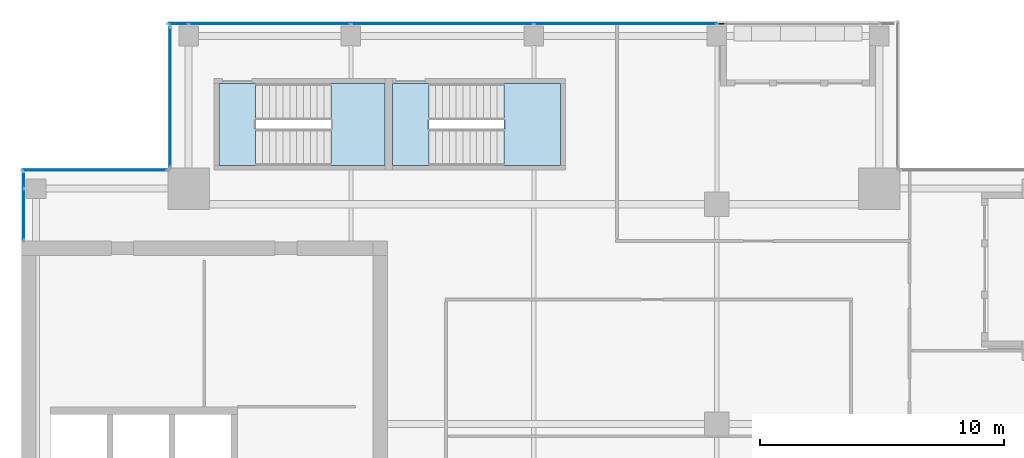
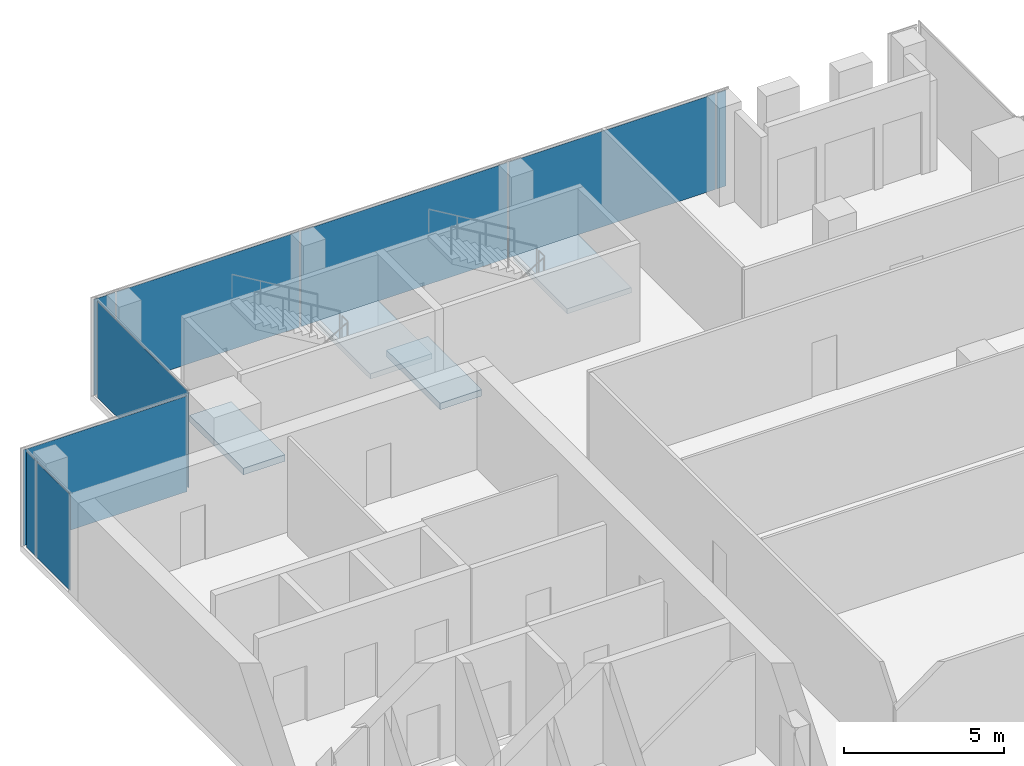
# One storey, part 23 of 29: 9 plates, 4 slabs, 6 elements without a shape of their own.
"""IFC4 building model written with IfcOpenShell, lengths in metres."""

from ifc_helpers import new_model, si_unit, direction, frame, origin, origin_2d, place, context, subcontext, project, spatial, polyline, rectangle, outline, extrude, source, transform, mapped, material, layer, layer_set, type_object, element, aggregate, save


model = new_model("IFC4")

# Units and contexts
model_context = context("Model", 3, precision=1e-05, world=origin(), true_north=direction((0.0, 1.0)))
body_context = subcontext(model_context, "Body", "Model", "MODEL_VIEW")
ifc_project = project(units=[si_unit("LENGTHUNIT", "METRE"), si_unit("AREAUNIT", "SQUARE_METRE"), si_unit("VOLUMEUNIT", "CUBIC_METRE"), si_unit("PLANEANGLEUNIT", "RADIAN"), si_unit("MASSUNIT", "GRAM", prefix="KILO")], contexts=[model_context])

# Site, building, storey
site_placement = place(None, origin())
site = spatial("IfcSite", under=ifc_project, at=site_placement, CompositionType="ELEMENT")
building_placement = place(site_placement, origin())
building = spatial("IfcBuilding", under=site, at=building_placement, Name="Khomas Fold Tower", CompositionType="ELEMENT")
storey_placement = place(building_placement, frame((0.0, 0.0, 314.199951171875)))
storey = spatial("IfcBuildingStorey", under=building, at=storey_placement, Name="L71", CompositionType="ELEMENT", Elevation=314.199951171875)

# Curtain wall, plate
ifc_material_1 = material(Name="Aluminium framed double glazing", Category="aluminium")
curtain_wall_type = type_object("IfcCurtainWallType", Name="SK-Unitised clear-glass wall, upper floors CW3", PredefinedType="NOTDEFINED", material=ifc_material_1)
curtain_wall_1_placement = place(storey_placement, origin())
curtain_wall_1 = element("IfcCurtainWall", 1, at=curtain_wall_1_placement, inside=storey, type_object=curtain_wall_type, Name="CW3 run L71 09-0", PredefinedType="NOTDEFINED")
ifc_material_2 = material(Name="Clear double glazed unit")
ifc_layer_1 = layer(ifc_material_2, 0.028076171875)
ifc_layer_set_1 = layer_set([ifc_layer_1], Name="Clear double glazed unit")
plate_type = type_object("IfcPlateType", Name="SK-Unitised clear-glass wall, upper floors glass panel CW3-P", PredefinedType="CURTAIN_PANEL", material=ifc_layer_set_1)
shared_shape_1 = source(origin(), body_context, "Body", "SweptSolid", [
    extrude(rectangle(XDim=0.574951171875, YDim=0.028076171875, at=origin_2d()), origin(), (0.0, 0.0, 1.0), 3.64990234375),
])
plate_1_placement = place(storey_placement, frame((6.10009765625, 41.46240234375, 0.0), z_axis=(0.0, 0.0, 1.0), x_axis=(0.0, -1.0, 0.0)))
plate_1 = element("IfcPlate", 2, at=plate_1_placement, type_object=plate_type, Name="CW3 glass panel 1", PredefinedType="CURTAIN_PANEL", context=body_context, shape_type="MappedRepresentation", body=[
    mapped(shared_shape_1, transform((0.0, 0.0, 0.0))),
])

# Curtain wall, plates
curtain_wall_2_placement = place(storey_placement, origin())
curtain_wall_2 = element("IfcCurtainWall", 3, at=curtain_wall_2_placement, inside=storey, type_object=curtain_wall_type, Name="CW3 run L71 06-1", PredefinedType="NOTDEFINED")
shared_shape_2 = source(origin(), body_context, "Body", "SweptSolid", [
    extrude(rectangle(XDim=6.60009765625, YDim=0.028076171875, at=origin_2d()), origin(), (0.0, 0.0, 1.0), 3.64990234375),
])
plate_2_placement = place(storey_placement, frame((16.175048828125, 47.89990234375, 0.0), z_axis=(0.0, 0.0, 1.0), x_axis=(-1.0, 0.0, 0.0)))
plate_2 = element("IfcPlate", 4, at=plate_2_placement, type_object=plate_type, Name="CW3 glass panel 4", PredefinedType="CURTAIN_PANEL", context=body_context, shape_type="MappedRepresentation", body=[
    mapped(shared_shape_2, transform((0.0, 0.0, 0.0))),
])
shared_shape_3 = source(origin(), body_context, "Body", "SweptSolid", [
    extrude(rectangle(XDim=7.449951171875, YDim=0.028076171875, at=origin_2d()), origin(), (0.0, 0.0, 1.0), 3.64990234375),
])
plate_3_placement = place(storey_placement, frame((30.75, 47.89990234375, 0.0), z_axis=(0.0, 0.0, 1.0), x_axis=(-1.0, 0.0, 0.0)))
plate_3 = element("IfcPlate", 5, at=plate_3_placement, type_object=plate_type, Name="CW3 glass panel 2", PredefinedType="CURTAIN_PANEL", context=body_context, shape_type="MappedRepresentation", body=[
    mapped(shared_shape_3, transform((0.0, 0.0, 0.0))),
])
plate_4_placement = place(storey_placement, frame((23.25, 47.89990234375, 0.0), z_axis=(0.0, 0.0, 1.0), x_axis=(-1.0, 0.0, 0.0)))
plate_4 = element("IfcPlate", 6, at=plate_4_placement, type_object=plate_type, Name="CW3 glass panel 3", PredefinedType="CURTAIN_PANEL", context=body_context, shape_type="MappedRepresentation", body=[
    mapped(shared_shape_3, transform((0.0, 0.0, 0.0))),
])
shared_shape_4 = source(origin(), body_context, "Body", "SweptSolid", [
    extrude(rectangle(XDim=0.77490234375, YDim=0.028076171875, at=origin_2d()), origin(), (0.0, 0.0, 1.0), 3.64990234375),
])
plate_5_placement = place(storey_placement, frame((12.4375, 47.89990234375, 0.0), z_axis=(0.0, 0.0, 1.0), x_axis=(-1.0, 0.0, 0.0)))
plate_5 = element("IfcPlate", 7, at=plate_5_placement, type_object=plate_type, Name="CW3 glass panel 5", PredefinedType="CURTAIN_PANEL", context=body_context, shape_type="MappedRepresentation", body=[
    mapped(shared_shape_4, transform((0.0, 0.0, 0.0))),
])

# Curtain wall, plate
curtain_wall_3_placement = place(storey_placement, origin())
curtain_wall_3 = element("IfcCurtainWall", 8, at=curtain_wall_3_placement, inside=storey, type_object=curtain_wall_type, Name="CW3 corner return L71 07", PredefinedType="NOTDEFINED")
shared_shape_5 = source(origin(), body_context, "Body", "SweptSolid", [
    extrude(rectangle(XDim=5.699951171875, YDim=0.028076171875, at=origin_2d()), origin(), (0.0, 0.0, 1.0), 3.64990234375),
])
plate_6_placement = place(storey_placement, frame((12.10009765625, 44.89990234375, 0.0), z_axis=(0.0, 0.0, 1.0), x_axis=(0.0, -1.0, 0.0)))
plate_6 = element("IfcPlate", 9, at=plate_6_placement, type_object=plate_type, Name="CW3 glass panel 1", PredefinedType="CURTAIN_PANEL", context=body_context, shape_type="MappedRepresentation", body=[
    mapped(shared_shape_5, transform((0.0, 0.0, 0.0))),
])
aggregate(curtain_wall_3, [plate_6])

curtain_wall_4_placement = place(storey_placement, origin())
curtain_wall_4 = element("IfcCurtainWall", 10, at=curtain_wall_4_placement, inside=storey, type_object=curtain_wall_type, Name="CW3 corner return L71 08", PredefinedType="NOTDEFINED")
shared_shape_6 = source(origin(), body_context, "Body", "SweptSolid", [
    extrude(rectangle(XDim=5.89990234375, YDim=0.028076171875, at=origin_2d()), origin(), (0.0, 0.0, 1.0), 3.64990234375),
])
plate_7_placement = place(storey_placement, frame((9.0, 41.89990234375, 0.0), z_axis=(0.0, 0.0, 1.0), x_axis=(-1.0, 0.0, 0.0)))
plate_7 = element("IfcPlate", 11, at=plate_7_placement, type_object=plate_type, Name="CW3 glass panel 1", PredefinedType="CURTAIN_PANEL", context=body_context, shape_type="MappedRepresentation", body=[
    mapped(shared_shape_6, transform((0.0, 0.0, 0.0))),
])
aggregate(curtain_wall_4, [plate_7])

# Plate
shared_shape_7 = source(origin(), body_context, "Body", "SweptSolid", [
    extrude(rectangle(XDim=0.324951171875, YDim=0.028076171875, at=origin_2d()), origin(), (0.0, 0.0, 1.0), 3.64990234375),
])
plate_8_placement = place(storey_placement, frame((34.6875, 47.89990234375, 0.0), z_axis=(0.0, 0.0, 1.0), x_axis=(-1.0, 0.0, 0.0)))
plate_8 = element("IfcPlate", 12, at=plate_8_placement, type_object=plate_type, Name="CW3 glass panel 1", PredefinedType="CURTAIN_PANEL", context=body_context, shape_type="MappedRepresentation", body=[
    mapped(shared_shape_7, transform((0.0, 0.0, 0.0))),
])

aggregate(curtain_wall_2, [plate_8, plate_3, plate_4, plate_2, plate_5])

shared_shape_8 = source(origin(), body_context, "Body", "SweptSolid", [
    extrude(rectangle(XDim=2.074951171875, YDim=0.028076171875, at=origin_2d()), origin(), (0.0, 0.0, 1.0), 3.64990234375),
])
plate_9_placement = place(storey_placement, frame((6.10009765625, 40.08740234375, 0.0), z_axis=(0.0, 0.0, 1.0), x_axis=(0.0, -1.0, 0.0)))
plate_9 = element("IfcPlate", 13, at=plate_9_placement, type_object=plate_type, Name="CW3 glass panel 2", PredefinedType="CURTAIN_PANEL", context=body_context, shape_type="MappedRepresentation", body=[
    mapped(shared_shape_8, transform((0.0, 0.0, 0.0))),
])

aggregate(curtain_wall_1, [plate_1, plate_9])

# Stair, slab
ifc_material_3 = material(Name="Concrete C40/50", Category="concrete")
stair_type_1 = type_object("IfcStairType", Name="Stair ST1", PredefinedType="HALF_TURN_STAIR", material=ifc_material_3)
stair_1_placement = place(storey_placement, origin())
stair_1 = element("IfcStair", 14, at=stair_1_placement, inside=storey, type_object=stair_type_1, Name="L71 ST1", PredefinedType="HALF_TURN_STAIR")
ifc_material_4 = material(Name="Concrete C40/50", Category="concrete")
ifc_layer_2 = layer(ifc_material_4, 0.199951171875)
ifc_layer_set_2 = layer_set([ifc_layer_2], Name="Concrete C40/50")
slab_type_1 = type_object("IfcSlabType", Name="Stair landing 200", PredefinedType="LANDING", material=ifc_layer_set_2)
shared_shape_9 = source(origin(), body_context, "Body", "SweptSolid", [
    extrude(outline(polyline([(18.679931640625, 42.10009765625), (20.89990234375, 42.10009765625), (20.89990234375, 45.449951171875), (18.679931640625, 45.449951171875), (18.679931640625, 42.10009765625)])), origin(), (0.0, 0.0, 1.0), 0.199951171875),
])
slab_1_placement = place(storey_placement, frame((0.0, 0.0, 1.800048828125)))
slab_1 = element("IfcSlab", 15, at=slab_1_placement, type_object=slab_type_1, Name="ST1 landing 1", PredefinedType="LANDING", context=body_context, shape_type="MappedRepresentation", body=[
    mapped(shared_shape_9, transform((0.0, 0.0, 0.0))),
])
aggregate(stair_1, [slab_1])

# Slab
ifc_material_5 = material(Name="Concrete C40/50", Category="concrete")
ifc_layer_3 = layer(ifc_material_5, 0.25)
ifc_layer_set_3 = layer_set([ifc_layer_3], Name="Concrete C40/50")
slab_type_2 = type_object("IfcSlabType", Name="Stair floor landing 250", PredefinedType="LANDING", material=ifc_layer_set_3)
shared_shape_10 = source(origin(), body_context, "Body", "SweptSolid", [
    extrude(outline(polyline([(15.60009765625, 42.10009765625), (14.10009765625, 42.10009765625), (14.10009765625, 45.449951171875), (15.60009765625, 45.449951171875), (15.60009765625, 42.10009765625)])), origin(), (0.0, 0.0, 1.0), 0.25),
])
slab_2_placement = place(storey_placement, frame((0.0, 0.0, -0.25)))
element("IfcSlab", 16, at=slab_2_placement, inside=storey, type_object=slab_type_2, Name="ST1 floor landing", PredefinedType="LANDING", context=body_context, shape_type="MappedRepresentation", body=[
    mapped(shared_shape_10, transform((0.0, 0.0, 0.0))),
])

# Stair, slab
ifc_material_6 = material(Name="Concrete C40/50", Category="concrete")
stair_type_2 = type_object("IfcStairType", Name="Stair ST3", PredefinedType="HALF_TURN_STAIR", material=ifc_material_6)
stair_2_placement = place(storey_placement, origin())
stair_2 = element("IfcStair", 17, at=stair_2_placement, inside=storey, type_object=stair_type_2, Name="L71 ST3", PredefinedType="HALF_TURN_STAIR")
shared_shape_11 = source(origin(), body_context, "Body", "SweptSolid", [
    extrude(outline(polyline([(25.780029296875, 42.10009765625), (28.10009765625, 42.10009765625), (28.10009765625, 45.449951171875), (25.780029296875, 45.449951171875), (25.780029296875, 42.10009765625)])), origin(), (0.0, 0.0, 1.0), 0.199951171875),
])
slab_3_placement = place(storey_placement, frame((0.0, 0.0, 1.800048828125)))
slab_3 = element("IfcSlab", 18, at=slab_3_placement, type_object=slab_type_1, Name="ST3 landing 1", PredefinedType="LANDING", context=body_context, shape_type="MappedRepresentation", body=[
    mapped(shared_shape_11, transform((0.0, 0.0, 0.0))),
])
aggregate(stair_2, [slab_3])

# Slab
shared_shape_12 = source(origin(), body_context, "Body", "SweptSolid", [
    extrude(outline(polyline([(22.699951171875, 42.10009765625), (21.199951171875, 42.10009765625), (21.199951171875, 45.449951171875), (22.699951171875, 45.449951171875), (22.699951171875, 42.10009765625)])), origin(), (0.0, 0.0, 1.0), 0.25),
])
slab_4_placement = place(storey_placement, frame((0.0, 0.0, -0.25)))
element("IfcSlab", 19, at=slab_4_placement, inside=storey, type_object=slab_type_2, Name="ST3 floor landing", PredefinedType="LANDING", context=body_context, shape_type="MappedRepresentation", body=[
    mapped(shared_shape_12, transform((0.0, 0.0, 0.0))),
])

save(model, "model.ifc")
